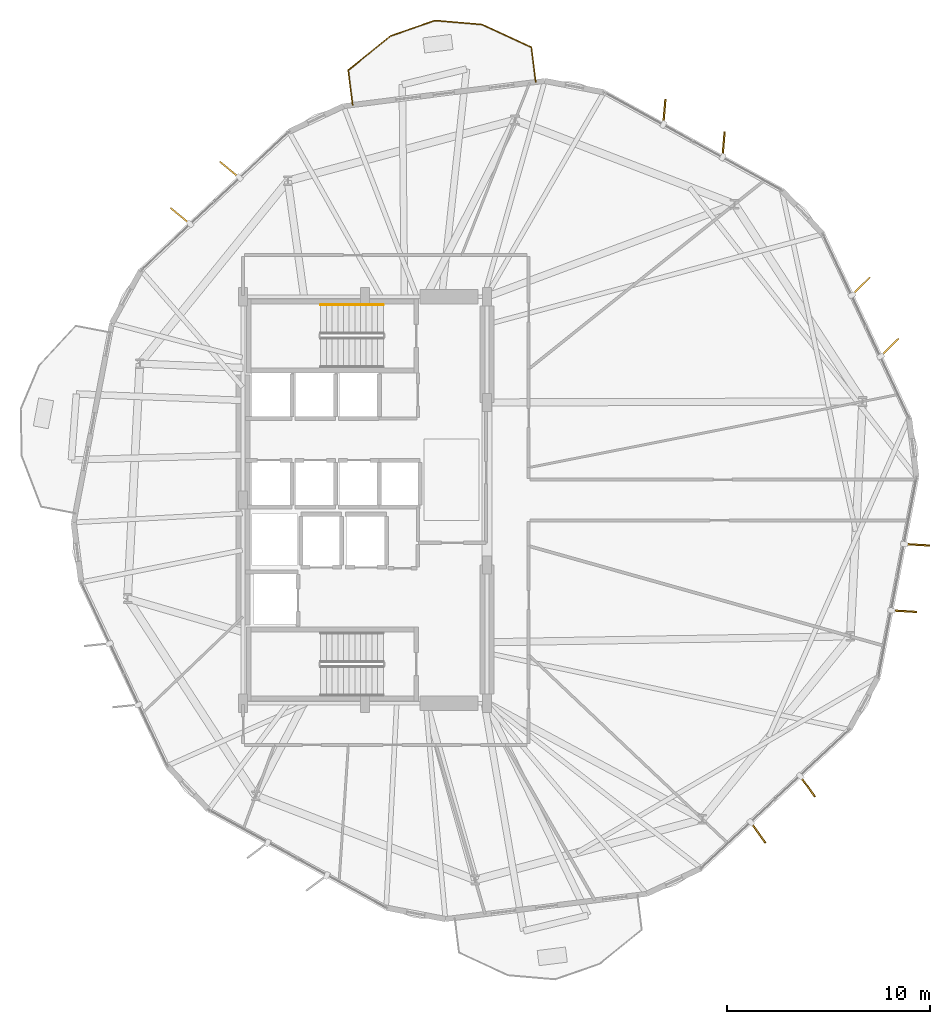
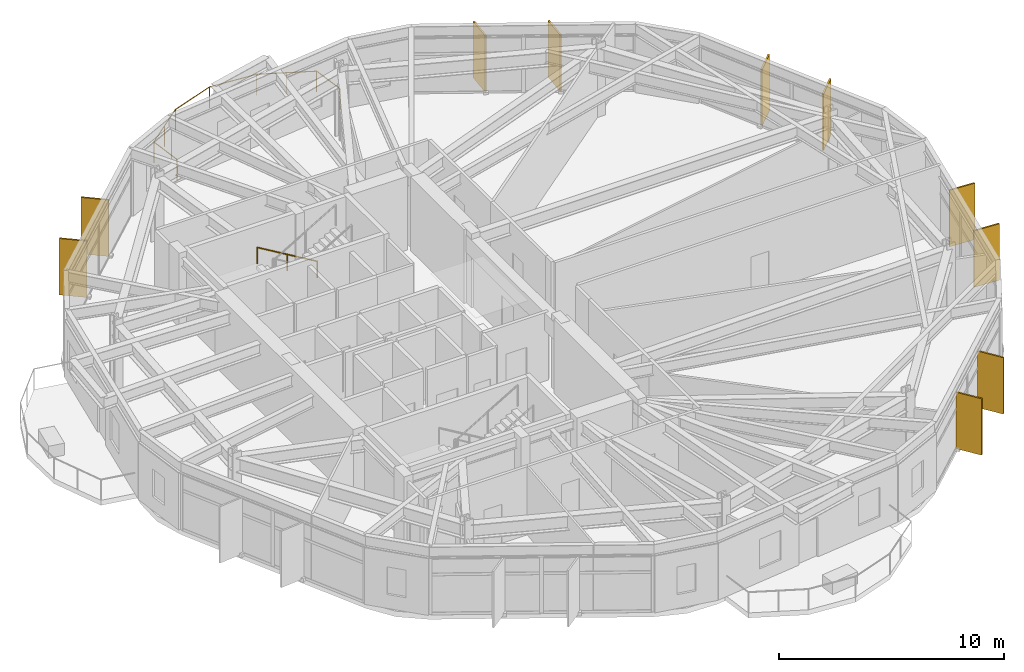
# One storey, part 22 of 22: 10 shading devices, 2 railings.
"""IFC4 building model written with IfcOpenShell, lengths in metres."""

from ifc_helpers import new_model, si_unit, direction, frame, origin, origin_2d, place, context, subcontext, project, spatial, rectangle, circle, extrude, material, layer, layer_set, type_object, element, save


model = new_model("IFC4")

# Units and contexts
model_context = context("Model", 3, precision=1e-05, world=origin(), true_north=direction((0.0, 1.0)))
body_context = subcontext(model_context, "Body", "Model", "MODEL_VIEW")
ifc_project = project(units=[si_unit("LENGTHUNIT", "METRE"), si_unit("AREAUNIT", "SQUARE_METRE"), si_unit("VOLUMEUNIT", "CUBIC_METRE"), si_unit("PLANEANGLEUNIT", "RADIAN"), si_unit("MASSUNIT", "GRAM", prefix="KILO")], contexts=[model_context])

# Site, building, storey
site_placement = place(None, origin())
site = spatial("IfcSite", under=ifc_project, at=site_placement, CompositionType="ELEMENT")
building_placement = place(site_placement, origin())
building = spatial("IfcBuilding", under=site, at=building_placement, Name="Soratama Intermodal Tower", CompositionType="ELEMENT")
storey_placement = place(building_placement, frame((0.0, 0.0, 54.60009765625)))
storey = spatial("IfcBuildingStorey", under=building, at=storey_placement, Name="L12", CompositionType="ELEMENT", Elevation=54.60009765625)

# Railings
ifc_material_1 = material(Name="Laminated glass and stainless steel balustrade", Category="steel")
railing_type_1 = type_object("IfcRailingType", Name="RL-BAL-1150", PredefinedType="BALUSTRADE", material=ifc_material_1)
railing_1_placement = place(storey_placement, frame((37.990478515625, 44.435546875, 0.0)))
element("IfcRailing", 1, at=railing_1_placement, inside=storey, type_object=railing_type_1, Name="L12 Balcony Balustrade 1", PredefinedType="BALUSTRADE", context=body_context, shape_type="SweptSolid", body=[
    extrude(circle(Radius=0.02392578125, at=origin_2d()), frame((0.0, 0.0, 1.1259765625), z_axis=(-0.124331692684, 0.992240711821, 0.0), x_axis=(-0.992240711821, -0.124331692684, 0.0)), (0.0, 0.0, 1.0), 1.72021484375),
    extrude(circle(Radius=0.02392578125, at=origin_2d()), frame((-0.2138671875, 1.706787109375, 1.1259765625), z_axis=(0.776225668911, 0.630455161708, 0.0), x_axis=(-0.630455161708, 0.776225668911, 0.0)), (0.0, 0.0, 1.0), 2.6748046875),
    extrude(circle(Radius=0.02392578125, at=origin_2d()), frame((1.8623046875, 3.39306640625, 1.1259765625), z_axis=(0.944391736293, 0.328822518117, 0.0), x_axis=(-0.328822518117, 0.944391736293, 0.0)), (0.0, 0.0, 1.0), 2.321044921875),
    extrude(circle(Radius=0.02392578125, at=origin_2d()), frame((4.05419921875, 4.15625, 1.1259765625), z_axis=(0.996318722622, -0.085726325901, 0.0), x_axis=(0.085726325901, 0.996318722622, 0.0)), (0.0, 0.0, 1.0), 2.321044921875),
    extrude(circle(Radius=0.02392578125, at=origin_2d()), frame((6.36669921875, 3.957275390625, 1.1259765625), z_axis=(0.907750893277, -0.419509613424, 0.0), x_axis=(0.419509613424, 0.907750893277, 0.0)), (0.0, 0.0, 1.0), 2.6748046875),
    extrude(circle(Radius=0.02392578125, at=origin_2d()), frame((8.794677734375, 2.835205078125, 1.1259765625), z_axis=(0.124349204747, -0.992238517333, 0.0), x_axis=(0.992238517333, 0.124349204747, 0.0)), (0.0, 0.0, 1.0), 1.719970703125),
    extrude(circle(Radius=0.02099609375, at=origin_2d()), origin(), (0.0, 0.0, 1.0), 1.101806640625),
    extrude(circle(Radius=0.02099609375, at=origin_2d()), frame((-0.2138671875, 1.706787109375, 0.0)), (0.0, 0.0, 1.0), 1.101806640625),
    extrude(circle(Radius=0.02099609375, at=origin_2d()), frame((0.82421875, 2.5498046875, 0.0)), (0.0, 0.0, 1.0), 1.101806640625),
    extrude(circle(Radius=0.02099609375, at=origin_2d()), frame((1.8623046875, 3.39306640625, 0.0)), (0.0, 0.0, 1.0), 1.101806640625),
    extrude(circle(Radius=0.02099609375, at=origin_2d()), frame((4.05419921875, 4.15625, 0.0)), (0.0, 0.0, 1.0), 1.101806640625),
    extrude(circle(Radius=0.02099609375, at=origin_2d()), frame((6.36669921875, 3.957275390625, 0.0)), (0.0, 0.0, 1.0), 1.101806640625),
    extrude(circle(Radius=0.02099609375, at=origin_2d()), frame((7.58056640625, 3.396240234375, 0.0)), (0.0, 0.0, 1.0), 1.101806640625),
    extrude(circle(Radius=0.02099609375, at=origin_2d()), frame((8.794677734375, 2.835205078125, 0.0)), (0.0, 0.0, 1.0), 1.101806640625),
    extrude(circle(Radius=0.02099609375, at=origin_2d()), frame((9.008544921875, 1.128662109375, 0.0)), (0.0, 0.0, 1.0), 1.101806640625),
])
ifc_material_2 = material(Name="Brushed stainless steel handrail", Category="steel")
railing_type_2 = type_object("IfcRailingType", Name="RL-STAIR-HAND", PredefinedType="HANDRAIL", material=ifc_material_2)
railing_2_placement = place(storey_placement, frame((39.5, 34.60009765625, 0.16650390625)))
element("IfcRailing", 2, at=railing_2_placement, inside=storey, type_object=railing_type_2, Name="L12 ST-2 stair handrail 1", PredefinedType="HANDRAIL", context=body_context, shape_type="SweptSolid", body=[
    extrude(circle(Radius=0.02392578125, at=origin_2d()), frame((0.0, 0.0, 0.8759765625), z_axis=(-0.85927862911, 0.0, 0.511507807912), x_axis=(0.0, -1.0, 0.0)), (0.0, 0.0, 1.0), 3.58447265625),
    extrude(circle(Radius=0.02099609375, at=origin_2d()), origin(), (0.0, 0.0, 1.0), 0.851806640625),
    extrude(circle(Radius=0.02099609375, at=origin_2d()), frame((-1.5400390625, 0.0, 0.916748046875)), (0.0, 0.0, 1.0), 0.851806640625),
    extrude(circle(Radius=0.02099609375, at=origin_2d()), frame((-3.080078125, 0.0, 1.83349609375)), (0.0, 0.0, 1.0), 0.851806640625),
])

# Shading devices
ifc_material_3 = material(Name="Champagne anodised aluminium solar fin", Category="aluminium")
ifc_layer = layer(ifc_material_3, 0.080078125)
ifc_layer_set = layer_set([ifc_layer], Name="Champagne anodised aluminium solar fin")
shading_device_type = type_object("IfcShadingDeviceType", Name="SH-FIN-1250", PredefinedType="USERDEFINED", material=ifc_layer_set)
for number, where, z_axis, x_axis, name in (
    (3, (64.4130859375, 32.510009765625, 0.019775390625), (0.0, 0.0, 1.0), (0.71251606774, 0.701655793971, 0.0), "L12 Solar Fin F01-1"),
    (4, (63.0, 35.521240234375, 0.019775390625), (0.0, 0.0, 1.0), (0.71251606774, 0.701655793971, 0.0), "L12 Solar Fin F01-2"),
    (5, (56.239990234375, 42.49267578125, 0.019775390625), (0.0, 0.0, 1.0), (0.084721322142, 0.996404685645, 0.0), "L12 Solar Fin F02-1"),
    (6, (53.326904296875, 44.098388671875, 0.019775390625), (0.0, 0.0, 1.0), (0.084721322142, 0.996404685645, 0.0), "L12 Solar Fin F02-2"),
    (7, (31.93310546875, 41.254638671875, 0.019775390625), (0.0, 0.0, 1.0), (-0.77229025973, 0.635269828282, 0.0), "L12 Solar Fin F04-1"),
    (8, (29.505859375, 38.980224609375, 0.019775390625), (0.0, 0.0, 1.0), (-0.77229025973, 0.635269828282, 0.0), "L12 Solar Fin F04-2"),
    (9, (57.945556640625, 8.63134765625, 0.019775390625), (0.0, 0.0, 1.0), (0.583824646426, -0.811879783112, 0.0), "L12 Solar Fin F09-1"),
    (10, (60.372802734375, 10.906005859375, 0.019775390625), (0.0, 0.0, 1.0), (0.583824646426, -0.811879783112, 0.0), "L12 Solar Fin F09-2"),
    (11, (65.125732421875, 19.5302734375, 0.019775390625), (0.0, 0.0, 1.0), (0.998198181003, -0.060003261936, 0.0), "L12 Solar Fin F10-1"),
    (12, (65.75244140625, 22.797119140625, 0.019775390625), (0.0, 0.0, 1.0), (0.998198181003, -0.060003261936, 0.0), "L12 Solar Fin F10-2"),
):
    element("IfcShadingDevice", number, at=place(storey_placement, frame(where, z_axis=z_axis, x_axis=x_axis)), inside=storey, type_object=shading_device_type, Name=name, ObjectType="FIN", PredefinedType="USERDEFINED", context=body_context, shape_type="SweptSolid", body=[
        extrude(rectangle(XDim=1.25, YDim=0.080078125, at=origin_2d()), origin(), (0.0, 0.0, 1.0), 3.05908203125),
    ])

save(model, "model.ifc")
